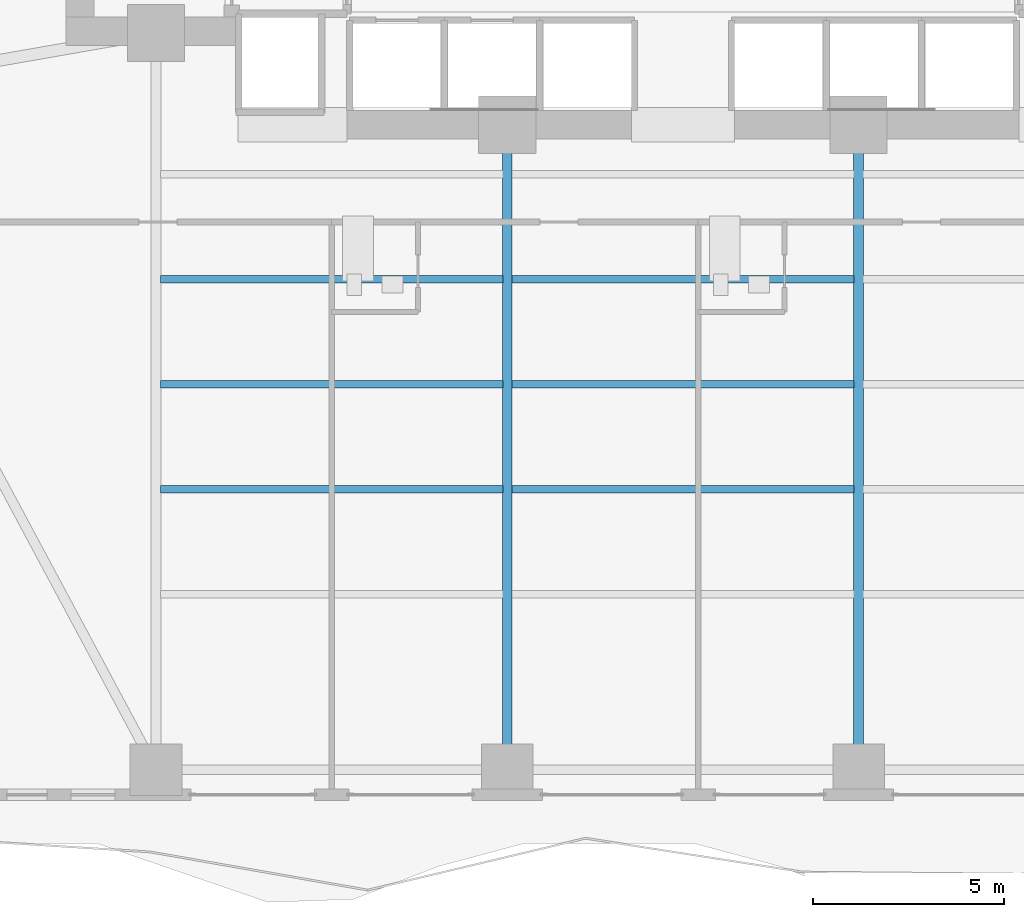
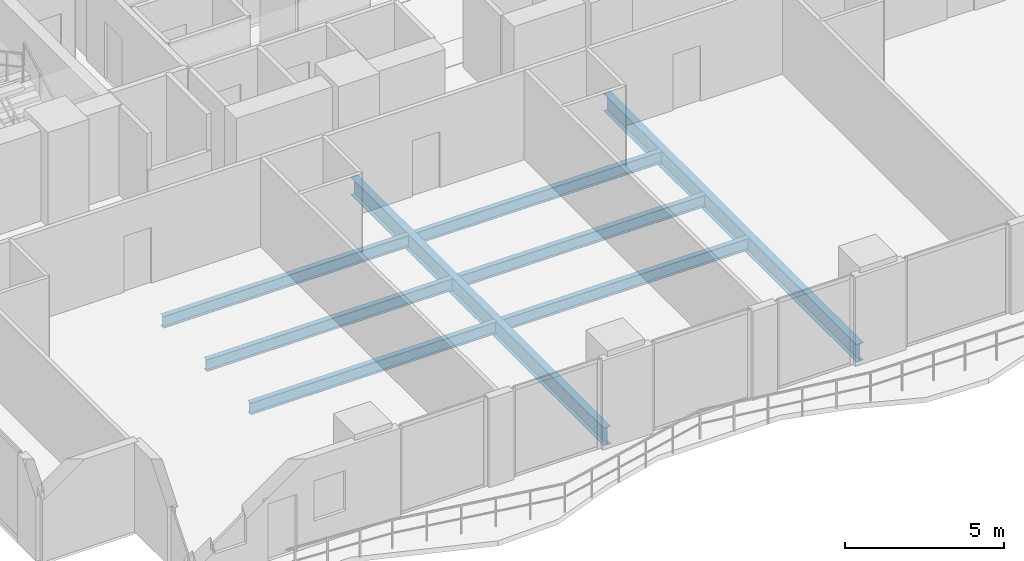
# One storey, part 6 of 27: 8 beams.
"""IFC4 building model written with IfcOpenShell, lengths in metres."""

import ifcopenshell
import ifcopenshell.guid

model = None  # the IFC model being written
_history = None  # IfcOwnerHistory: only IFC2X3 demands one
_inside = {}  # id of a spatial element -> (the spatial element, [elements in it])
_under = {}  # id of a project, library or spatial element -> (it, [spatial elements below it])
_declared = {}  # id of a project -> (the project, [libraries it declares])
_typed = {}  # id of a type object -> (the type object, [elements of that type])
_made_of = {}  # id of a material, layer set ... -> (it, [elements and type objects made of it])


def new_model(schema):
    """Start an empty IFC model of exactly this schema.

    Asked for "IFC4X3", IfcOpenShell would pick the latest addendum, in which some entities
    have other attributes; the version numbers below select the first issue.
    IFC2X3 requires an IfcOwnerHistory on every rooted entity: one is made here for all.
    """
    global model, _history
    if schema == "IFC4X3":
        model = ifcopenshell.file(schema_version=(4, 3, 0, 0))
    else:
        model = ifcopenshell.file(schema=schema)
    _inside.clear()
    _under.clear()
    _declared.clear()
    _typed.clear()
    _made_of.clear()
    _history = None
    if model.schema == "IFC2X3":
        org = make("IfcOrganization", Name="unknown")
        user = make(
            "IfcPersonAndOrganization",
            ThePerson=make("IfcPerson", FamilyName="unknown"),
            TheOrganization=org,
        )
        app = make(
            "IfcApplication",
            ApplicationDeveloper=org,
            Version="unknown",
            ApplicationFullName="unknown",
            ApplicationIdentifier="unknown",
        )
        _history = make(
            "IfcOwnerHistory",
            OwningUser=user,
            OwningApplication=app,
            ChangeAction="ADDED",
            CreationDate=0,
        )
    return model


def make(cls, **values):
    """One entity of the class cls with the attributes given. An attribute that is None is left unset."""
    return model.create_entity(
        cls, **{name: value for name, value in values.items() if value is not None}
    )


def rooted(cls, **values):
    """An entity with a GlobalId (a new one), such as an element, a storey or a relation."""
    return make(cls, GlobalId=ifcopenshell.guid.new(), OwnerHistory=_history, **values)


def si_unit(unit_type, name, prefix=None):
    """IfcSIUnit, for example si_unit("LENGTHUNIT", "METRE", prefix="MILLI")."""
    return make("IfcSIUnit", UnitType=unit_type, Prefix=prefix, Name=name)


def assignment(units):
    """IfcUnitAssignment: the units of a project."""
    return None if units is None else make("IfcUnitAssignment", Units=units)


def point(xyz):
    """IfcCartesianPoint."""
    return None if xyz is None else make("IfcCartesianPoint", Coordinates=xyz)


def direction(xyz):
    """IfcDirection."""
    return None if xyz is None else make("IfcDirection", DirectionRatios=xyz)


def frame(location, z_axis=None, x_axis=None):
    """IfcAxis2Placement3D, a coordinate frame: its origin and axes. An axis left out is left unset."""
    return make(
        "IfcAxis2Placement3D",
        Location=point(location),
        Axis=direction(z_axis),
        RefDirection=direction(x_axis),
    )


def frame_2d(location, x_axis=None):
    """IfcAxis2Placement2D, a coordinate frame in the plane: its origin and x axis."""
    return make(
        "IfcAxis2Placement2D", Location=point(location), RefDirection=direction(x_axis)
    )


def origin():
    """The frame at (0, 0, 0) with its axes left unset."""
    return frame((0.0, 0.0, 0.0))


def origin_2d():
    """The frame at (0, 0) in the plane with its x axis left unset."""
    return frame_2d((0.0, 0.0))


def place(relative_to, where):
    """IfcLocalPlacement: puts the frame where relative to a parent placement (None: the world)."""
    return make(
        "IfcLocalPlacement", PlacementRelTo=relative_to, RelativePlacement=where
    )


def context(
    kind, dimensions, precision=None, world=None, true_north=None, identifier=None
):
    """IfcGeometricRepresentationContext, for example the 3D "Model" context."""
    return make(
        "IfcGeometricRepresentationContext",
        ContextIdentifier=identifier,
        ContextType=kind,
        CoordinateSpaceDimension=dimensions,
        Precision=precision,
        WorldCoordinateSystem=world,
        TrueNorth=true_north,
    )


def subcontext(parent, identifier, kind, view, scale=None):
    """IfcGeometricRepresentationSubContext, for example "Body" below "Model"."""
    return make(
        "IfcGeometricRepresentationSubContext",
        ContextIdentifier=identifier,
        ContextType=kind,
        ParentContext=parent,
        TargetScale=scale,
        TargetView=view,
    )


def project(units=None, contexts=None):
    """IfcProject with its units and contexts."""
    return rooted(
        "IfcProject",
        Name="project",
        RepresentationContexts=contexts,
        UnitsInContext=assignment(units),
    )


def spatial(cls, under=None, at=None, **own):
    """A site, building, storey or space (cls), placed at a placement, below another one or the project."""
    s = rooted(cls, ObjectPlacement=at, **own)
    if under is not None:
        _under.setdefault(under.id(), (under, []))[1].append(s)
    return s


def profile(cls, at=None, kind="AREA", **sizes):
    """A parametric profile (cls). Its sizes go by their IFC names, for example OverallWidth=200.0."""
    return make(cls, ProfileType=kind, Position=at, **sizes)


def i_section(**sizes):
    """IfcIShapeProfileDef."""
    return profile("IfcIShapeProfileDef", **sizes)


def extrude(swept, where, along, depth):
    """IfcExtrudedAreaSolid: the profile swept, set in the frame where, extruded along a direction by depth."""
    return make(
        "IfcExtrudedAreaSolid",
        SweptArea=swept,
        Position=where,
        ExtrudedDirection=direction(along),
        Depth=depth,
    )


def shape(context_of_items, identifier, shape_type, items):
    """IfcShapeRepresentation: the items that make up one representation, for example the "Body"."""
    return make(
        "IfcShapeRepresentation",
        ContextOfItems=context_of_items,
        RepresentationIdentifier=identifier,
        RepresentationType=shape_type,
        Items=items,
    )


def material(Name=None, Category=None):
    """IfcMaterial."""
    return make("IfcMaterial", Name=Name, Category=Category)


def material_profile(
    of_material, cross_section, Name=None, Category=None, Priority=None
):
    """IfcMaterialProfile: a cross section and its material."""
    return make(
        "IfcMaterialProfile",
        Name=Name,
        Material=of_material,
        Profile=cross_section,
        Priority=Priority,
        Category=Category,
    )


def profile_set(profiles, Name=None, composite=None):
    """IfcMaterialProfileSet."""
    return make(
        "IfcMaterialProfileSet",
        Name=Name,
        MaterialProfiles=profiles,
        CompositeProfile=composite,
    )


def made_of(thing, what):
    """Note that an element or type object is made of a material, layer set ...; save() writes the relation."""
    if what is not None:
        _made_of.setdefault(what.id(), (what, []))[1].append(thing)
    return thing


def type_object(cls, material=None, **own):
    """A type object (cls), such as IfcWallType, which elements share."""
    return made_of(rooted(cls, **own), material)


def element(
    cls,
    number,
    at=None,
    inside=None,
    cuts=None,
    type_object=None,
    material=None,
    context=None,
    identifier="Body",
    shape_type=None,
    held_by="IfcProductDefinitionShape",
    body=None,
    shapes=None,
    **own,
):
    """One element of the class cls, such as IfcWall. Its Tag is "e" and its number.

    at: its placement. inside: the storey or other place that contains it. cuts: it is an
    opening in that element (IfcRelVoidsElement). A single representation is given by context,
    identifier, shape_type and body (its items); several are given by shapes. held_by: the class
    of the entity that holds the representations. save() writes the other relations.
    """
    e = rooted(cls, Tag="e%d" % number, ObjectPlacement=at, **own)
    if body is not None:
        shapes = [shape(context, identifier, shape_type, body)]
    if shapes is not None:
        e.Representation = make(held_by, Representations=shapes)
    if inside is not None:
        _inside.setdefault(inside.id(), (inside, []))[1].append(e)
    if cuts is not None:
        rooted(
            "IfcRelVoidsElement", RelatingBuildingElement=cuts, RelatedOpeningElement=e
        )
    if type_object is not None:
        _typed.setdefault(type_object.id(), (type_object, []))[1].append(e)
    return made_of(e, material)


def aggregate(whole, parts):
    """IfcRelAggregates: a whole, such as a stair, and the parts it consists of."""
    return rooted("IfcRelAggregates", RelatingObject=whole, RelatedObjects=parts)


def save(model, path):
    """Write the relations noted so far, then the file.

    IfcRelAggregates (storeys below a building ...), IfcRelContainedInSpatialStructure (elements
    in a storey), IfcRelDefinesByType, IfcRelAssociatesMaterial and IfcRelDeclares: one each for
    every whole, place, type object, material and project.
    """
    for whole, parts in _under.values():
        aggregate(whole, parts)
    for where, things in _inside.values():
        rooted(
            "IfcRelContainedInSpatialStructure",
            RelatedElements=things,
            RelatingStructure=where,
        )
    for kind, things in _typed.values():
        rooted("IfcRelDefinesByType", RelatedObjects=things, RelatingType=kind)
    for what, things in _made_of.values():
        rooted("IfcRelAssociatesMaterial", RelatedObjects=things, RelatingMaterial=what)
    for by, libraries in _declared.values():
        rooted("IfcRelDeclares", RelatingContext=by, RelatedDefinitions=libraries)
    model.write(path)


model = new_model("IFC4")

# Units and contexts
model_context = context("Model", 3, precision=1e-05, world=origin(), true_north=direction((0.0, 1.0)))
body_context = subcontext(model_context, "Body", "Model", "MODEL_VIEW")
ifc_project = project(units=[si_unit("LENGTHUNIT", "METRE"), si_unit("AREAUNIT", "SQUARE_METRE"), si_unit("VOLUMEUNIT", "CUBIC_METRE"), si_unit("PLANEANGLEUNIT", "RADIAN"), si_unit("MASSUNIT", "GRAM", prefix="KILO")], contexts=[model_context])

# Site, building, storey
site_placement = place(None, origin())
site = spatial("IfcSite", under=ifc_project, at=site_placement, CompositionType="ELEMENT")
building_placement = place(site_placement, origin())
building = spatial("IfcBuilding", under=site, at=building_placement, Name="Zuhayl Quay Hotel", CompositionType="ELEMENT")
storey_placement = place(building_placement, frame((0.0, 0.0, 117.550048828125)))
storey = spatial("IfcBuildingStorey", under=building, at=storey_placement, Name="L29", CompositionType="ELEMENT", Elevation=117.550048828125)

# Beams
ifc_material = material(Name="Steel ASTM A992 Grade 50", Category="steel")
ifc_material_profile_1 = material_profile(ifc_material, i_section(OverallWidth=0.25390625, OverallDepth=0.68310546875, WebThickness=0.012451171875, FlangeThickness=0.018798828125, at=origin_2d()), Name="W27X94")
ifc_profile_set_1 = profile_set([ifc_material_profile_1], Name="Steel ASTM A992 Grade 50")
beam_type_1 = type_object("IfcBeamType", Name="BM_B2_W27X94", PredefinedType="BEAM", material=ifc_profile_set_1)
for number, where, z_axis, x_axis, name in (
    (1, (-4.60009765625, -14.25, -0.5615234375), (0.0, 1.0, 0.0), (-1.0, 0.0, 0.0), "L29 Floor Beam FG_S_L29_2"),
    (2, (4.60009765625, -14.25, -0.5615234375), (0.0, 1.0, 0.0), (-1.0, 0.0, 0.0), "L29 Floor Beam FG_S_L29_3"),
):
    element("IfcBeam", number, at=place(storey_placement, frame(where, z_axis=z_axis, x_axis=x_axis)), inside=storey, type_object=beam_type_1, Name=name, PredefinedType="BEAM", context=body_context, shape_type="SweptSolid", body=[
        extrude(i_section(OverallWidth=0.25390625, OverallDepth=0.68310546875, WebThickness=0.012451171875, FlangeThickness=0.018798828125, at=origin_2d()), origin(), (0.0, 0.0, 1.0), 15.949951171875),
    ])
ifc_material_profile_2 = material_profile(ifc_material, i_section(OverallWidth=0.18994140625, OverallDepth=0.45703125, WebThickness=0.009033203125, FlangeThickness=0.014404296875, at=origin_2d()), Name="W18X50")
ifc_profile_set_2 = profile_set([ifc_material_profile_2], Name="Steel ASTM A992 Grade 50")
beam_type_2 = type_object("IfcBeamType", Name="BM_J2_W18X50", PredefinedType="JOIST", material=ifc_profile_set_2)
for number, where, z_axis, x_axis, name in (
    (3, (-13.680908203125, -7.39990234375, -0.448486328125), (1.0, 0.0, 0.0), (0.0, 1.0, 0.0), "L29 Floor Beam FJ_L29_6_1"),
    (4, (-4.48095703125, -7.39990234375, -0.448486328125), (1.0, 0.0, 0.0), (0.0, 1.0, 0.0), "L29 Floor Beam FJ_L29_6_2"),
    (5, (-13.680908203125, -4.64990234375, -0.448486328125), (1.0, 0.0, 0.0), (0.0, 1.0, 0.0), "L29 Floor Beam FJ_L29_7_1"),
    (6, (-4.48095703125, -4.64990234375, -0.448486328125), (1.0, 0.0, 0.0), (0.0, 1.0, 0.0), "L29 Floor Beam FJ_L29_7_2"),
    (7, (-13.680908203125, -1.89990234375, -0.448486328125), (1.0, 0.0, 0.0), (0.0, 1.0, 0.0), "L29 Floor Beam FJ_L29_8_1"),
    (8, (-4.48095703125, -1.89990234375, -0.448486328125), (1.0, 0.0, 0.0), (0.0, 1.0, 0.0), "L29 Floor Beam FJ_L29_8_2"),
):
    element("IfcBeam", number, at=place(storey_placement, frame(where, z_axis=z_axis, x_axis=x_axis)), inside=storey, type_object=beam_type_2, Name=name, PredefinedType="JOIST", context=body_context, shape_type="SweptSolid", body=[
        extrude(i_section(OverallWidth=0.18994140625, OverallDepth=0.45703125, WebThickness=0.009033203125, FlangeThickness=0.014404296875, at=origin_2d()), origin(), (0.0, 0.0, 1.0), 8.9619140625),
    ])

save(model, "model.ifc")
